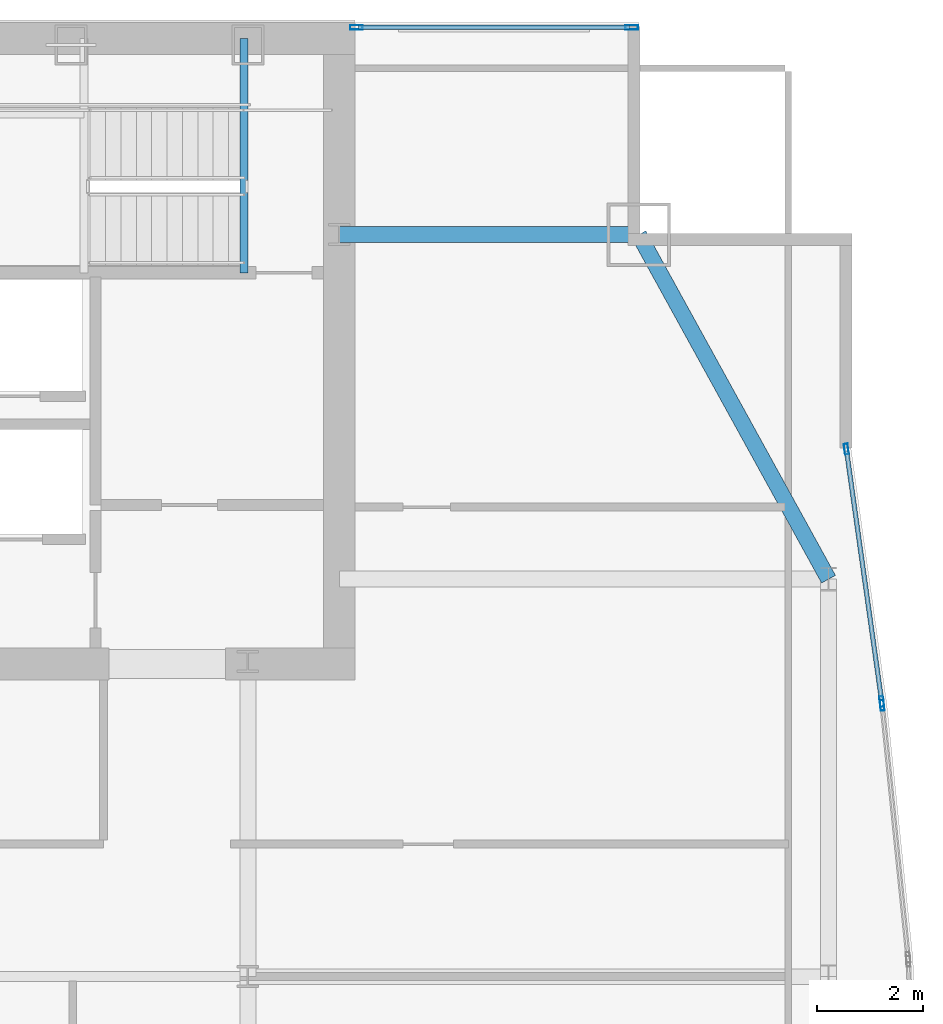
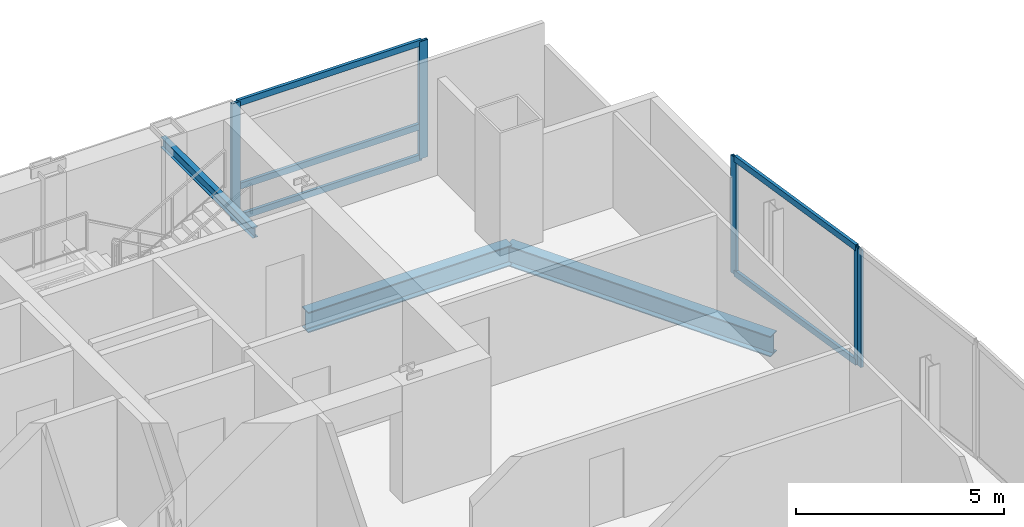
# One storey, part 25 of 32: 10 members, 3 beams, 3 elements without a shape of their own.
"""IFC4 building model written with IfcOpenShell, lengths in metres."""

from ifc_helpers import new_model, si_unit, direction, frame, origin, origin_2d, place, context, subcontext, project, spatial, hollow_rectangle, i_section, extrude, material, material_profile, profile_set, type_object, element, aggregate, save


model = new_model("IFC4")

# Units and contexts
model_context = context("Model", 3, precision=1e-05, world=origin(), true_north=direction((0.0, 1.0)))
body_context = subcontext(model_context, "Body", "Model", "MODEL_VIEW")
ifc_project = project(units=[si_unit("LENGTHUNIT", "METRE"), si_unit("AREAUNIT", "SQUARE_METRE"), si_unit("VOLUMEUNIT", "CUBIC_METRE"), si_unit("PLANEANGLEUNIT", "RADIAN"), si_unit("MASSUNIT", "GRAM", prefix="KILO")], contexts=[model_context])

# Site, building, storey
site_placement = place(None, origin())
site = spatial("IfcSite", under=ifc_project, at=site_placement, CompositionType="ELEMENT")
building_placement = place(site_placement, origin())
building = spatial("IfcBuilding", under=site, at=building_placement, Name="Khoronbel Lancet Exchange", CompositionType="ELEMENT")
storey_placement = place(building_placement, frame((0.0, 0.0, 228.199951171875)))
storey = spatial("IfcBuildingStorey", under=building, at=storey_placement, Name="L58", CompositionType="ELEMENT", Elevation=228.199951171875)

# Beams
ifc_material_1 = material(Name="Steel S355", Category="steel")
ifc_material_profile_1 = material_profile(ifc_material_1, i_section(OverallWidth=0.14990234375, OverallDepth=0.300048828125, WebThickness=0.007080078125, FlangeThickness=0.0107421875, at=origin_2d()), Name="IPE 300")
ifc_profile_set_1 = profile_set([ifc_material_profile_1], Name="Steel S355")
beam_type_1 = type_object("IfcBeamType", Name="BM-BJ8", PredefinedType="JOIST", material=ifc_profile_set_1)
beam_1_placement = place(storey_placement, frame((54.60009765625, 48.97998046875, 3.16015625), z_axis=(0.0, 1.0, 0.0), x_axis=(-1.0, 0.0, 0.0)))
element("IfcBeam", 1, at=beam_1_placement, inside=storey, type_object=beam_type_1, Name="Level L58 stair ST2 upper-flight arrival trimmer beam", PredefinedType="JOIST", context=body_context, shape_type="SweptSolid", body=[
    extrude(i_section(OverallWidth=0.14990234375, OverallDepth=0.300048828125, WebThickness=0.007080078125, FlangeThickness=0.0107421875, at=origin_2d()), origin(), (0.0, 0.0, 1.0), 4.419921875),
])
ifc_material_profile_2 = material_profile(ifc_material_1, i_section(OverallWidth=0.300048828125, OverallDepth=0.60009765625, WebThickness=0.015380859375, FlangeThickness=0.030029296875, at=origin_2d()), Name="HEB 600")
ifc_profile_set_2 = profile_set([ifc_material_profile_2], Name="Steel S355")
beam_type_2 = type_object("IfcBeamType", Name="BM-BSP2", PredefinedType="SPANDREL", material=ifc_profile_set_2)
beam_2_placement = place(storey_placement, frame((65.6298828125, 43.199951171875, -0.4599609375), z_axis=(-0.482418808117, 0.875940690672, 0.0), x_axis=(-0.875940690672, -0.482418808117, 0.0)))
element("IfcBeam", 2, at=beam_2_placement, inside=storey, type_object=beam_type_2, Name="Level L58 perimeter spandrel beam SP15", PredefinedType="SPANDREL", context=body_context, shape_type="SweptSolid", body=[
    extrude(i_section(OverallWidth=0.300048828125, OverallDepth=0.60009765625, WebThickness=0.015380859375, FlangeThickness=0.030029296875, at=origin_2d()), origin(), (0.0, 0.0, 1.0), 7.420654296875),
])
beam_3_placement = place(storey_placement, frame((62.050048828125, 49.699951171875, -0.4599609375), z_axis=(-1.0, 0.0, 0.0), x_axis=(0.0, -1.0, 0.0)))
element("IfcBeam", 3, at=beam_3_placement, inside=storey, type_object=beam_type_2, Name="Level L58 north flank tie spandrel SP23", PredefinedType="SPANDREL", context=body_context, shape_type="SweptSolid", body=[
    extrude(i_section(OverallWidth=0.300048828125, OverallDepth=0.60009765625, WebThickness=0.015380859375, FlangeThickness=0.030029296875, at=origin_2d()), origin(), (0.0, 0.0, 1.0), 5.650146484375),
])

# Curtain wall, members
ifc_material_2 = material(Name="Low-E Solar Control Insulating Glass", Category="glass")
curtain_wall_type_1 = type_object("IfcCurtainWallType", Name="CW-3", PredefinedType="NOTDEFINED", material=ifc_material_2)
curtain_wall_1_placement = place(storey_placement, origin())
curtain_wall_1 = element("IfcCurtainWall", 4, at=curtain_wall_1_placement, inside=storey, type_object=curtain_wall_type_1, Name="Unitised curtain wall CW-L58-NEFLK", PredefinedType="NOTDEFINED")
ifc_material_3 = material(Name="Bronze-Anodised Aluminium 6063-T6", Category="aluminium")
ifc_material_profile_3 = material_profile(ifc_material_3, hollow_rectangle(XDim=0.0849609375, YDim=0.239990234375, WallThickness=0.006103515625, at=origin_2d()), Name="ALU MULLION 85x240")
ifc_profile_set_3 = profile_set([ifc_material_profile_3], Name="Bronze-Anodised Aluminium 6063-T6")
member_type_1 = type_object("IfcMemberType", Name="MEM-CWM1", PredefinedType="MULLION", material=ifc_profile_set_3)
member_1_placement = place(storey_placement, frame((61.91748046875, 53.610107421875, 0.0), z_axis=(0.0, 0.0, 1.0), x_axis=(0.0, -1.0, 0.0)))
member_1 = element("IfcMember", 5, at=member_1_placement, type_object=member_type_1, Name="CW3 mullion 1", PredefinedType="MULLION", context=body_context, shape_type="SweptSolid", body=[
    extrude(hollow_rectangle(XDim=0.0849609375, YDim=0.239990234375, WallThickness=0.006103515625, at=origin_2d()), origin(), (0.0, 0.0, 1.0), 3.43994140625),
])
member_2_placement = place(storey_placement, frame((56.722412109375, 53.610107421875, 0.0), z_axis=(0.0, 0.0, 1.0), x_axis=(0.0, -1.0, 0.0)))
member_2 = element("IfcMember", 6, at=member_2_placement, type_object=member_type_1, Name="CW3 mullion 2", PredefinedType="MULLION", context=body_context, shape_type="SweptSolid", body=[
    extrude(hollow_rectangle(XDim=0.0849609375, YDim=0.239990234375, WallThickness=0.006103515625, at=origin_2d()), origin(), (0.0, 0.0, 1.0), 3.43994140625),
])

curtain_wall_type_2 = type_object("IfcCurtainWallType", Name="CW-4", PredefinedType="NOTDEFINED", material=ifc_material_2)
curtain_wall_2_placement = place(storey_placement, origin())
curtain_wall_2 = element("IfcCurtainWall", 7, at=curtain_wall_2_placement, inside=storey, type_object=curtain_wall_type_2, Name="Unitised curtain wall CW-L58-E17", PredefinedType="NOTDEFINED")
ifc_material_profile_4 = material_profile(ifc_material_3, hollow_rectangle(XDim=0.074951171875, YDim=0.199951171875, WallThickness=0.0048828125, at=origin_2d()), Name="ALU MULLION 75x200")
ifc_profile_set_4 = profile_set([ifc_material_profile_4], Name="Bronze-Anodised Aluminium 6063-T6")
member_type_2 = type_object("IfcMemberType", Name="MEM-CWM2", PredefinedType="MULLION", material=ifc_profile_set_4)
member_3_placement = place(storey_placement, frame((65.965087890625, 45.656494140625, 0.0), z_axis=(0.0, 0.0, 1.0), x_axis=(0.990313393588, 0.138850215989, 0.0)))
member_3 = element("IfcMember", 8, at=member_3_placement, type_object=member_type_2, Name="CW4 mullion 1", PredefinedType="MULLION", context=body_context, shape_type="SweptSolid", body=[
    extrude(hollow_rectangle(XDim=0.074951171875, YDim=0.199951171875, WallThickness=0.0048828125, at=origin_2d()), origin(), (0.0, 0.0, 1.0), 3.43994140625),
])
member_4_placement = place(storey_placement, frame((66.633056640625, 40.89306640625, 0.0), z_axis=(0.0, 0.0, 1.0), x_axis=(0.990313393588, 0.138850215989, 0.0)))
member_4 = element("IfcMember", 9, at=member_4_placement, type_object=member_type_2, Name="CW4 mullion 2", PredefinedType="MULLION", context=body_context, shape_type="SweptSolid", body=[
    extrude(hollow_rectangle(XDim=0.074951171875, YDim=0.199951171875, WallThickness=0.0048828125, at=origin_2d()), origin(), (0.0, 0.0, 1.0), 3.43994140625),
])

# Curtain wall, member
curtain_wall_3_placement = place(storey_placement, origin())
curtain_wall_3 = element("IfcCurtainWall", 10, at=curtain_wall_3_placement, inside=storey, type_object=curtain_wall_type_2, Name="Unitised curtain wall CW-L58-E18", PredefinedType="NOTDEFINED")
member_5_placement = place(storey_placement, frame((66.64208984375, 40.818603515625, 0.0), z_axis=(0.0, 0.0, 1.0), x_axis=(0.994772481584, 0.102116158773, 0.0)))
member_5 = element("IfcMember", 11, at=member_5_placement, type_object=member_type_2, Name="CW4 mullion 1", PredefinedType="MULLION", context=body_context, shape_type="SweptSolid", body=[
    extrude(hollow_rectangle(XDim=0.074951171875, YDim=0.199951171875, WallThickness=0.0048828125, at=origin_2d()), origin(), (0.0, 0.0, 1.0), 3.43994140625),
])
aggregate(curtain_wall_3, [member_5])

# Member
ifc_material_profile_5 = material_profile(ifc_material_3, hollow_rectangle(XDim=0.0849609375, YDim=0.179931640625, WallThickness=0.0048828125, at=origin_2d()), Name="ALU TRANSOM 85x180")
ifc_profile_set_5 = profile_set([ifc_material_profile_5], Name="Bronze-Anodised Aluminium 6063-T6")
member_type_3 = type_object("IfcMemberType", Name="MEM-CWT1", PredefinedType="USERDEFINED", material=ifc_profile_set_5)
member_6_placement = place(storey_placement, frame((61.875, 53.610107421875, 0.04248046875), z_axis=(-1.0, 0.0, 0.0), x_axis=(0.0, -1.0, 0.0)))
member_6 = element("IfcMember", 12, at=member_6_placement, type_object=member_type_3, Name="CW3 transom 1.1", ObjectType="TRANSOM", PredefinedType="USERDEFINED", context=body_context, shape_type="SweptSolid", body=[
    extrude(hollow_rectangle(XDim=0.0849609375, YDim=0.179931640625, WallThickness=0.0048828125, at=origin_2d()), origin(), (0.0, 0.0, 1.0), 5.110107421875),
])

member_7_placement = place(storey_placement, frame((61.875, 53.610107421875, 0.949951171875), z_axis=(-1.0, 0.0, 0.0), x_axis=(0.0, -1.0, 0.0)))
member_7 = element("IfcMember", 13, at=member_7_placement, type_object=member_type_3, Name="CW3 transom 1.2", ObjectType="TRANSOM", PredefinedType="USERDEFINED", context=body_context, shape_type="SweptSolid", body=[
    extrude(hollow_rectangle(XDim=0.0849609375, YDim=0.179931640625, WallThickness=0.0048828125, at=origin_2d()), origin(), (0.0, 0.0, 1.0), 5.110107421875),
])

member_8_placement = place(storey_placement, frame((61.875, 53.610107421875, 3.3974609375), z_axis=(-1.0, 0.0, 0.0), x_axis=(0.0, -1.0, 0.0)))
member_8 = element("IfcMember", 14, at=member_8_placement, type_object=member_type_3, Name="CW3 transom 1.3", ObjectType="TRANSOM", PredefinedType="USERDEFINED", context=body_context, shape_type="SweptSolid", body=[
    extrude(hollow_rectangle(XDim=0.0849609375, YDim=0.179931640625, WallThickness=0.0048828125, at=origin_2d()), origin(), (0.0, 0.0, 1.0), 5.110107421875),
])

aggregate(curtain_wall_1, [member_1, member_2, member_6, member_7, member_8])

member_9_placement = place(storey_placement, frame((65.970458984375, 45.619384765625, 0.04248046875), z_axis=(0.138851128463, -0.990313265651, 0.0), x_axis=(0.990313265651, 0.138851128463, 0.0)))
member_9 = element("IfcMember", 15, at=member_9_placement, type_object=member_type_3, Name="CW4 transom 1.1", ObjectType="TRANSOM", PredefinedType="USERDEFINED", context=body_context, shape_type="SweptSolid", body=[
    extrude(hollow_rectangle(XDim=0.0849609375, YDim=0.179931640625, WallThickness=0.0048828125, at=origin_2d()), origin(), (0.0, 0.0, 1.0), 4.735107421875),
])

member_10_placement = place(storey_placement, frame((65.970458984375, 45.619384765625, 3.3974609375), z_axis=(0.138851128463, -0.990313265651, 0.0), x_axis=(0.990313265651, 0.138851128463, 0.0)))
member_10 = element("IfcMember", 16, at=member_10_placement, type_object=member_type_3, Name="CW4 transom 1.2", ObjectType="TRANSOM", PredefinedType="USERDEFINED", context=body_context, shape_type="SweptSolid", body=[
    extrude(hollow_rectangle(XDim=0.0849609375, YDim=0.179931640625, WallThickness=0.0048828125, at=origin_2d()), origin(), (0.0, 0.0, 1.0), 4.735107421875),
])

aggregate(curtain_wall_2, [member_3, member_4, member_9, member_10])

save(model, "model.ifc")
